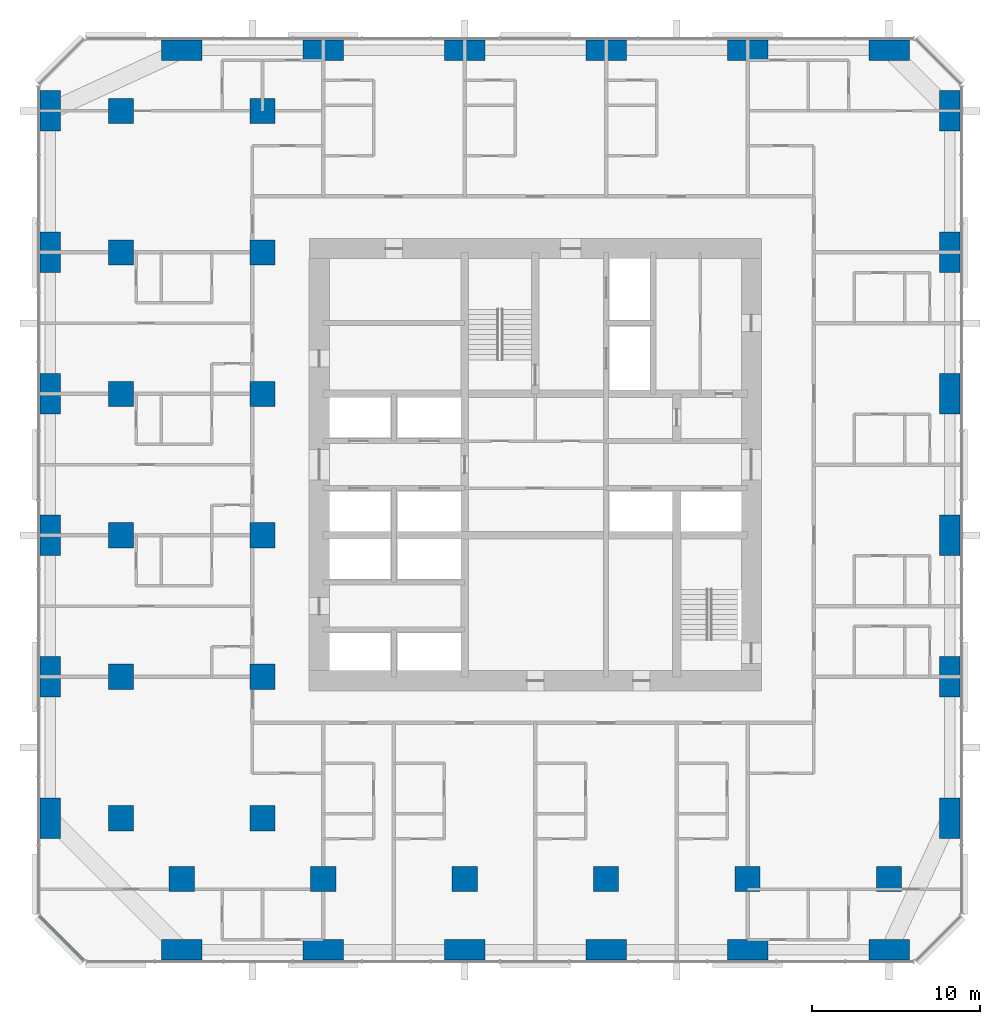
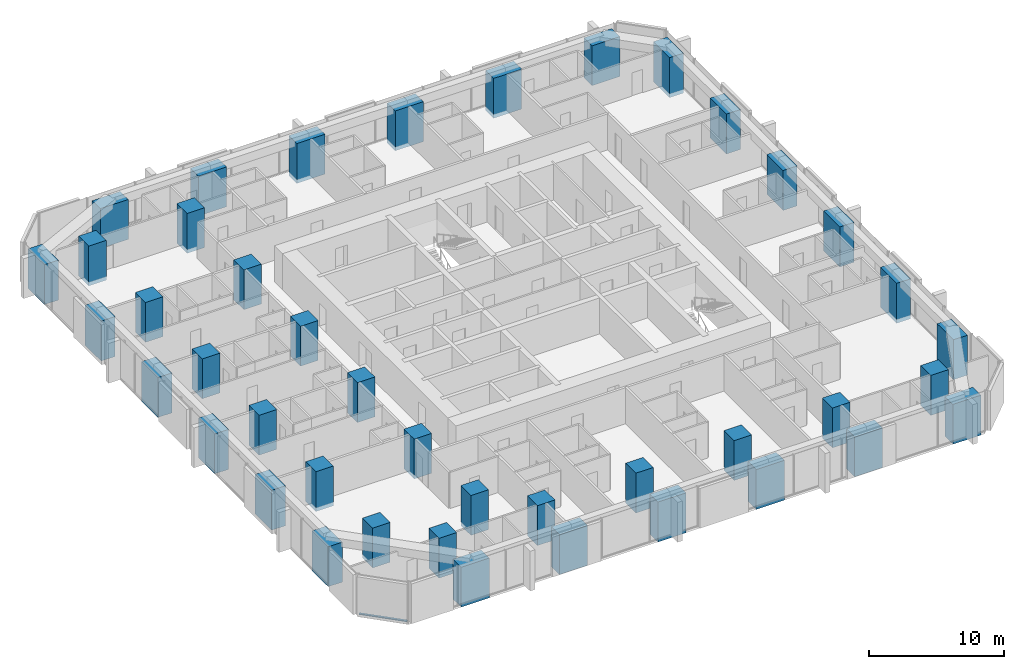
# One storey, part 1 of 14: 42 columns, 1 member, 1 element without a shape of its own.
"""IFC4 building model written with IfcOpenShell, lengths in metres."""

from ifc_helpers import new_model, si_unit, direction, frame, origin, origin_2d, place, context, subcontext, project, spatial, rectangle, extrude, material, material_profile, profile_set, type_object, element, aggregate, save


model = new_model("IFC4")

# Units and contexts
model_context = context("Model", 3, precision=1e-05, world=origin(), true_north=direction((0.0, 1.0)))
body_context = subcontext(model_context, "Body", "Model", "MODEL_VIEW")
ifc_project = project(units=[si_unit("LENGTHUNIT", "METRE"), si_unit("AREAUNIT", "SQUARE_METRE"), si_unit("VOLUMEUNIT", "CUBIC_METRE"), si_unit("PLANEANGLEUNIT", "RADIAN"), si_unit("MASSUNIT", "GRAM", prefix="KILO")], contexts=[model_context])

# Site, building, storey
site_placement = place(None, origin())
site = spatial("IfcSite", under=ifc_project, at=site_placement, CompositionType="ELEMENT")
building_placement = place(site_placement, origin())
building = spatial("IfcBuilding", under=site, at=building_placement, Name="Dunama Terrace Hotel", CompositionType="ELEMENT")
storey_placement = place(building_placement, frame((0.0, 0.0, 100.800048828125)))
storey = spatial("IfcBuildingStorey", under=building, at=storey_placement, Name="L25", CompositionType="ELEMENT", Elevation=100.800048828125)

# Columns
ifc_material_1 = material(Name="Concrete C60/75", Category="concrete")
ifc_material_profile_1 = material_profile(ifc_material_1, rectangle(XDim=1.199951171875, YDim=2.39990234375, at=origin_2d()), Name="RC 1200x2400")
ifc_profile_set_1 = profile_set([ifc_material_profile_1], Name="Concrete C60/75")
column_type_1 = type_object("IfcColumnType", Name="Column RC 1200x2400", PredefinedType="COLUMN", material=ifc_profile_set_1)
for number, where, z_axis, x_axis, name in (
    (1, (0.60009765625, 8.39990234375, -0.35009765625), (0.0, 0.0, 1.0), (1.0, 0.0, 0.0), "Column L25 +0.6/+8.4"),
    (2, (0.60009765625, 16.800048828125, -0.35009765625), (0.0, 0.0, 1.0), (1.0, 0.0, 0.0), "Column L25 +0.6/+16.8"),
    (3, (0.60009765625, 25.199951171875, -0.35009765625), (0.0, 0.0, 1.0), (1.0, 0.0, 0.0), "Column L25 +0.6/+25.2"),
    (4, (0.60009765625, 33.60009765625, -0.35009765625), (0.0, 0.0, 1.0), (1.0, 0.0, 0.0), "Column L25 +0.6/+33.6"),
    (5, (0.60009765625, 42.0, -0.35009765625), (0.0, 0.0, 1.0), (1.0, 0.0, 0.0), "Column L25 +0.6/+42.0"),
    (6, (0.60009765625, 50.39990234375, -0.35009765625), (0.0, 0.0, 1.0), (1.0, 0.0, 0.0), "Column L25 +0.6/+50.4"),
    (7, (54.0, 8.39990234375, -0.35009765625), (0.0, 0.0, 1.0), (1.0, 0.0, 0.0), "Column L25 +54.0/+8.4"),
    (8, (54.0, 16.800048828125, -0.35009765625), (0.0, 0.0, 1.0), (1.0, 0.0, 0.0), "Column L25 +54.0/+16.8"),
    (9, (54.0, 25.199951171875, -0.35009765625), (0.0, 0.0, 1.0), (1.0, 0.0, 0.0), "Column L25 +54.0/+25.2"),
    (10, (54.0, 33.60009765625, -0.35009765625), (0.0, 0.0, 1.0), (1.0, 0.0, 0.0), "Column L25 +54.0/+33.6"),
    (11, (54.0, 42.0, -0.35009765625), (0.0, 0.0, 1.0), (1.0, 0.0, 0.0), "Column L25 +54.0/+42.0"),
    (12, (54.0, 50.39990234375, -0.35009765625), (0.0, 0.0, 1.0), (1.0, 0.0, 0.0), "Column L25 +54.0/+50.4"),
):
    element("IfcColumn", number, at=place(storey_placement, frame(where, z_axis=z_axis, x_axis=x_axis)), inside=storey, type_object=column_type_1, Name=name, PredefinedType="COLUMN", context=body_context, shape_type="SweptSolid", body=[
        extrude(rectangle(XDim=1.199951171875, YDim=2.39990234375, at=origin_2d()), origin(), (0.0, 0.0, 1.0), 3.60009765625),
    ])
ifc_material_2 = material(Name="Concrete C60/75", Category="concrete")
ifc_material_profile_2 = material_profile(ifc_material_2, rectangle(XDim=1.5, YDim=1.5, at=origin_2d()), Name="RC 1500x1500")
ifc_profile_set_2 = profile_set([ifc_material_profile_2], Name="Concrete C60/75")
column_type_2 = type_object("IfcColumnType", Name="Column RC 1500x1500", PredefinedType="COLUMN", material=ifc_profile_set_2)
for number, where, z_axis, x_axis, name in (
    (13, (4.800048828125, 8.39990234375, -0.35009765625), (0.0, 0.0, 1.0), (1.0, 0.0, 0.0), "Column L25 +4.8/+8.4"),
    (14, (4.800048828125, 16.800048828125, -0.35009765625), (0.0, 0.0, 1.0), (1.0, 0.0, 0.0), "Column L25 +4.8/+16.8"),
    (15, (4.800048828125, 25.199951171875, -0.35009765625), (0.0, 0.0, 1.0), (1.0, 0.0, 0.0), "Column L25 +4.8/+25.2"),
    (16, (4.800048828125, 33.60009765625, -0.35009765625), (0.0, 0.0, 1.0), (1.0, 0.0, 0.0), "Column L25 +4.8/+33.6"),
    (17, (4.800048828125, 42.0, -0.35009765625), (0.0, 0.0, 1.0), (1.0, 0.0, 0.0), "Column L25 +4.8/+42.0"),
    (18, (4.800048828125, 50.39990234375, -0.35009765625), (0.0, 0.0, 1.0), (1.0, 0.0, 0.0), "Column L25 +4.8/+50.4"),
    (19, (8.39990234375, 4.800048828125, -0.35009765625), (0.0, 0.0, 1.0), (1.0, 0.0, 0.0), "Column L25 +8.4/+4.8"),
    (20, (13.199951171875, 8.39990234375, -0.35009765625), (0.0, 0.0, 1.0), (1.0, 0.0, 0.0), "Column L25 +13.2/+8.4"),
    (21, (13.199951171875, 16.800048828125, -0.35009765625), (0.0, 0.0, 1.0), (1.0, 0.0, 0.0), "Column L25 +13.2/+16.8"),
    (22, (13.199951171875, 25.199951171875, -0.35009765625), (0.0, 0.0, 1.0), (1.0, 0.0, 0.0), "Column L25 +13.2/+25.2"),
    (23, (13.199951171875, 33.60009765625, -0.35009765625), (0.0, 0.0, 1.0), (1.0, 0.0, 0.0), "Column L25 +13.2/+33.6"),
    (24, (13.199951171875, 42.0, -0.35009765625), (0.0, 0.0, 1.0), (1.0, 0.0, 0.0), "Column L25 +13.2/+42.0"),
    (25, (13.199951171875, 50.39990234375, -0.35009765625), (0.0, 0.0, 1.0), (1.0, 0.0, 0.0), "Column L25 +13.2/+50.4"),
    (26, (16.800048828125, 4.800048828125, -0.35009765625), (0.0, 0.0, 1.0), (1.0, 0.0, 0.0), "Column L25 +16.8/+4.8"),
    (27, (25.199951171875, 4.800048828125, -0.35009765625), (0.0, 0.0, 1.0), (1.0, 0.0, 0.0), "Column L25 +25.2/+4.8"),
    (28, (33.60009765625, 4.800048828125, -0.35009765625), (0.0, 0.0, 1.0), (1.0, 0.0, 0.0), "Column L25 +33.6/+4.8"),
    (29, (42.0, 4.800048828125, -0.35009765625), (0.0, 0.0, 1.0), (1.0, 0.0, 0.0), "Column L25 +42.0/+4.8"),
    (30, (50.39990234375, 4.800048828125, -0.35009765625), (0.0, 0.0, 1.0), (1.0, 0.0, 0.0), "Column L25 +50.4/+4.8"),
):
    element("IfcColumn", number, at=place(storey_placement, frame(where, z_axis=z_axis, x_axis=x_axis)), inside=storey, type_object=column_type_2, Name=name, PredefinedType="COLUMN", context=body_context, shape_type="SweptSolid", body=[
        extrude(rectangle(XDim=1.5, YDim=1.5, at=origin_2d()), origin(), (0.0, 0.0, 1.0), 3.60009765625),
    ])
ifc_material_3 = material(Name="Concrete C60/75", Category="concrete")
ifc_material_profile_3 = material_profile(ifc_material_3, rectangle(XDim=2.39990234375, YDim=1.199951171875, at=origin_2d()), Name="RC 2400x1200")
ifc_profile_set_3 = profile_set([ifc_material_profile_3], Name="Concrete C60/75")
column_type_3 = type_object("IfcColumnType", Name="Column RC 2400x1200", PredefinedType="COLUMN", material=ifc_profile_set_3)
for number, where, z_axis, x_axis, name in (
    (31, (8.39990234375, 0.60009765625, -0.35009765625), (0.0, 0.0, 1.0), (1.0, 0.0, 0.0), "Column L25 +8.4/+0.6"),
    (32, (8.39990234375, 54.0, -0.35009765625), (0.0, 0.0, 1.0), (1.0, 0.0, 0.0), "Column L25 +8.4/+54.0"),
    (33, (16.800048828125, 0.60009765625, -0.35009765625), (0.0, 0.0, 1.0), (1.0, 0.0, 0.0), "Column L25 +16.8/+0.6"),
    (34, (16.800048828125, 54.0, -0.35009765625), (0.0, 0.0, 1.0), (1.0, 0.0, 0.0), "Column L25 +16.8/+54.0"),
    (35, (25.199951171875, 0.60009765625, -0.35009765625), (0.0, 0.0, 1.0), (1.0, 0.0, 0.0), "Column L25 +25.2/+0.6"),
    (36, (25.199951171875, 54.0, -0.35009765625), (0.0, 0.0, 1.0), (1.0, 0.0, 0.0), "Column L25 +25.2/+54.0"),
    (37, (33.60009765625, 0.60009765625, -0.35009765625), (0.0, 0.0, 1.0), (1.0, 0.0, 0.0), "Column L25 +33.6/+0.6"),
    (38, (33.60009765625, 54.0, -0.35009765625), (0.0, 0.0, 1.0), (1.0, 0.0, 0.0), "Column L25 +33.6/+54.0"),
    (39, (42.0, 0.60009765625, -0.35009765625), (0.0, 0.0, 1.0), (1.0, 0.0, 0.0), "Column L25 +42.0/+0.6"),
    (40, (42.0, 54.0, -0.35009765625), (0.0, 0.0, 1.0), (1.0, 0.0, 0.0), "Column L25 +42.0/+54.0"),
    (41, (50.39990234375, 0.60009765625, -0.35009765625), (0.0, 0.0, 1.0), (1.0, 0.0, 0.0), "Column L25 +50.4/+0.6"),
    (42, (50.39990234375, 54.0, -0.35009765625), (0.0, 0.0, 1.0), (1.0, 0.0, 0.0), "Column L25 +50.4/+54.0"),
):
    element("IfcColumn", number, at=place(storey_placement, frame(where, z_axis=z_axis, x_axis=x_axis)), inside=storey, type_object=column_type_3, Name=name, PredefinedType="COLUMN", context=body_context, shape_type="SweptSolid", body=[
        extrude(rectangle(XDim=2.39990234375, YDim=1.199951171875, at=origin_2d()), origin(), (0.0, 0.0, 1.0), 3.60009765625),
    ])

# Curtain wall, member
ifc_material_4 = material(Name="Aluminium curtain wall system", Category="aluminium")
curtain_wall_type = type_object("IfcCurtainWallType", Name="Unitised fritted glass wall CW-B", PredefinedType="NOTDEFINED", material=ifc_material_4)
curtain_wall_placement = place(storey_placement, origin())
curtain_wall = element("IfcCurtainWall", 43, at=curtain_wall_placement, inside=storey, type_object=curtain_wall_type, Name="Unitised fritted glass wall CW-B L25", PredefinedType="NOTDEFINED")
ifc_material_5 = material(Name="Aluminium transom", Category="aluminium")
ifc_material_profile_4 = material_profile(ifc_material_5, rectangle(XDim=0.179931640625, YDim=0.080078125, at=origin_2d()), Name="CWB TRANSOM 180X80")
ifc_profile_set_4 = profile_set([ifc_material_profile_4], Name="Aluminium transom")
member_type = type_object("IfcMemberType", Name="CWB transom 180x80", PredefinedType="USERDEFINED", material=ifc_profile_set_4)
member_placement = place(storey_placement, frame((-0.031982421875, 2.575927734375, 0.0400390625), z_axis=(0.707106781187, -0.707106781187, 0.0), x_axis=(0.707106781187, 0.707106781187, 0.0)))
member = element("IfcMember", 44, at=member_placement, type_object=member_type, Name="CWB transom", ObjectType="TRANSOM", PredefinedType="USERDEFINED", context=body_context, shape_type="SweptSolid", body=[
    extrude(rectangle(XDim=0.179931640625, YDim=0.080078125, at=origin_2d()), origin(), (0.0, 0.0, 1.0), 3.688232421875),
])
aggregate(curtain_wall, [member])

save(model, "model.ifc")
